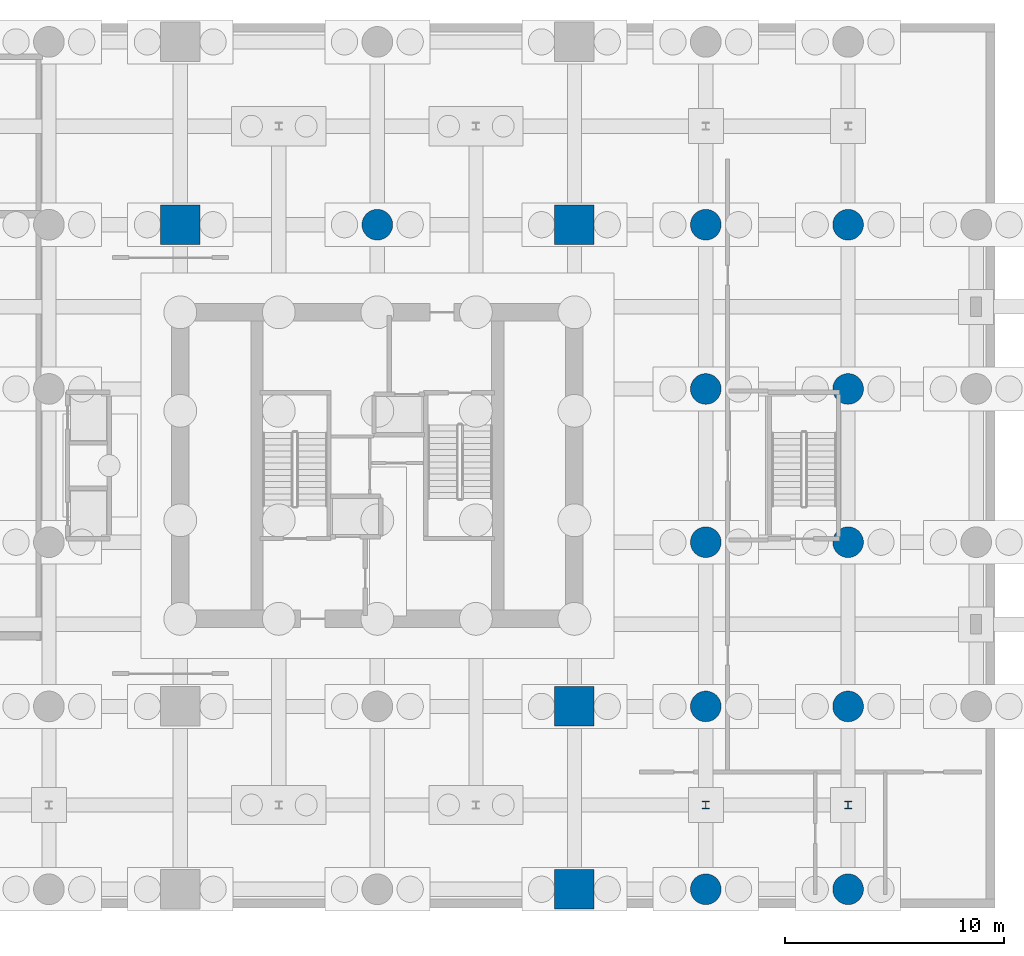
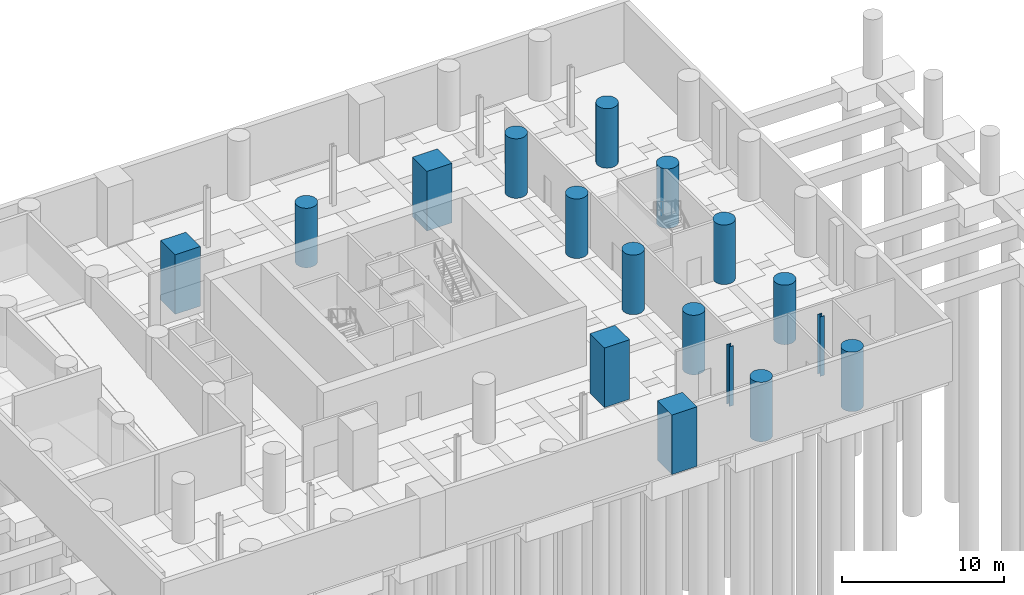
# One storey, part 6 of 12: 17 columns.
"""IFC4 building model written with IfcOpenShell, lengths in metres."""

from ifc_helpers import new_model, si_unit, direction, frame, origin, origin_2d, place, context, subcontext, project, spatial, rectangle, circle, i_section, extrude, material, material_profile, profile_set, type_object, element, save


model = new_model("IFC4")

# Units and contexts
model_context = context("Model", 3, precision=1e-05, world=origin(), true_north=direction((0.0, 1.0)))
body_context = subcontext(model_context, "Body", "Model", "MODEL_VIEW")
ifc_project = project(units=[si_unit("LENGTHUNIT", "METRE"), si_unit("AREAUNIT", "SQUARE_METRE"), si_unit("VOLUMEUNIT", "CUBIC_METRE"), si_unit("PLANEANGLEUNIT", "RADIAN"), si_unit("MASSUNIT", "GRAM", prefix="KILO")], contexts=[model_context])

# Site, building, storey
site_placement = place(None, origin())
site = spatial("IfcSite", under=ifc_project, at=site_placement, CompositionType="ELEMENT")
building_placement = place(site_placement, origin())
building = spatial("IfcBuilding", under=site, at=building_placement, Name="Veldorim Arch Residences", CompositionType="ELEMENT")
storey_placement = place(building_placement, frame((0.0, 0.0, -9.0)))
storey = spatial("IfcBuildingStorey", under=building, at=storey_placement, Name="B2", CompositionType="ELEMENT", Elevation=-9.0)

# Columns
ifc_material_1 = material(Name="Concrete C60/75", Category="concrete")
ifc_material_profile_1 = material_profile(ifc_material_1, circle(Radius=0.699951171875, at=origin_2d()), Name="RC_CIRC_1400")
ifc_profile_set_1 = profile_set([ifc_material_profile_1], Name="Concrete C60/75")
column_type_1 = type_object("IfcColumnType", Name="Structural Column RC_CIRC_1400", PredefinedType="COLUMN", material=ifc_profile_set_1)
for number, where, z_axis, x_axis, name in (
    (1, (47.0, 4.64990234375, 0.0), (0.0, 0.0, 1.0), (1.0, 0.0, 0.0), "B2 podium column (47.00, 4.65)"),
    (2, (47.0, 13.0, 0.0), (0.0, 0.0, 1.0), (1.0, 0.0, 0.0), "B2 podium column (47.00, 13.00)"),
    (3, (47.0, 20.5, 0.0), (0.0, 0.0, 1.0), (1.0, 0.0, 0.0), "B2 podium column (47.00, 20.50)"),
    (4, (47.0, 27.5, 0.0), (0.0, 0.0, 1.0), (1.0, 0.0, 0.0), "B2 podium column (47.00, 27.50)"),
    (5, (47.0, 35.0, 0.0), (0.0, 0.0, 1.0), (1.0, 0.0, 0.0), "B2 podium column (47.00, 35.00)"),
    (6, (53.5, 4.64990234375, 0.0), (0.0, 0.0, 1.0), (1.0, 0.0, 0.0), "B2 podium column (53.50, 4.65)"),
    (7, (53.5, 13.0, 0.0), (0.0, 0.0, 1.0), (1.0, 0.0, 0.0), "B2 podium column (53.50, 13.00)"),
    (8, (53.5, 20.5, 0.0), (0.0, 0.0, 1.0), (1.0, 0.0, 0.0), "B2 podium column (53.50, 20.50)"),
    (9, (53.5, 27.5, 0.0), (0.0, 0.0, 1.0), (1.0, 0.0, 0.0), "B2 podium column (53.50, 27.50)"),
    (10, (53.5, 35.0, 0.0), (0.0, 0.0, 1.0), (1.0, 0.0, 0.0), "B2 podium column (53.50, 35.00)"),
    (11, (32.0, 35.0, 0.0), (0.0, 0.0, 1.0), (1.0, 0.0, 0.0), "B2 arch mega-pier (32.00, 35.00)"),
):
    element("IfcColumn", number, at=place(storey_placement, frame(where, z_axis=z_axis, x_axis=x_axis)), inside=storey, type_object=column_type_1, Name=name, PredefinedType="COLUMN", context=body_context, shape_type="SweptSolid", body=[
        extrude(circle(Radius=0.699951171875, at=origin_2d()), origin(), (0.0, 0.0, 1.0), 4.5),
    ])
ifc_material_2 = material(Name="Concrete C60/75", Category="concrete")
ifc_material_profile_2 = material_profile(ifc_material_2, rectangle(XDim=1.800048828125, YDim=1.800048828125, at=origin_2d()), Name="RC_RECT_1800x1800")
ifc_profile_set_2 = profile_set([ifc_material_profile_2], Name="Concrete C60/75")
column_type_2 = type_object("IfcColumnType", Name="Structural Column RC_RECT_1800x1800", PredefinedType="COLUMN", material=ifc_profile_set_2)
for number, where, z_axis, x_axis, name in (
    (12, (23.0, 35.0, 0.0), (0.0, 0.0, 1.0), (1.0, 0.0, 0.0), "B2 arch mega-pier (23.00, 35.00)"),
    (13, (41.0, 4.64990234375, 0.0), (0.0, 0.0, 1.0), (1.0, 0.0, 0.0), "B2 arch mega-pier (41.00, 4.65)"),
    (14, (41.0, 13.0, 0.0), (0.0, 0.0, 1.0), (1.0, 0.0, 0.0), "B2 arch mega-pier (41.00, 13.00)"),
    (15, (41.0, 35.0, 0.0), (0.0, 0.0, 1.0), (1.0, 0.0, 0.0), "B2 arch mega-pier (41.00, 35.00)"),
):
    element("IfcColumn", number, at=place(storey_placement, frame(where, z_axis=z_axis, x_axis=x_axis)), inside=storey, type_object=column_type_2, Name=name, PredefinedType="COLUMN", context=body_context, shape_type="SweptSolid", body=[
        extrude(rectangle(XDim=1.800048828125, YDim=1.800048828125, at=origin_2d()), origin(), (0.0, 0.0, 1.0), 4.5),
    ])
ifc_material_3 = material(Name="Steel S355", Category="steel")
ifc_material_profile_3 = material_profile(ifc_material_3, i_section(OverallWidth=0.314453125, OverallDepth=0.33984375, WebThickness=0.01904296875, FlangeThickness=0.031494140625, at=origin_2d()), Name="UC305x305x198")
ifc_profile_set_3 = profile_set([ifc_material_profile_3], Name="Steel S355")
column_type_3 = type_object("IfcColumnType", Name="Structural Column UC305x305x198", PredefinedType="COLUMN", material=ifc_profile_set_3)
for number, where, z_axis, x_axis, name in (
    (16, (47.0, 8.5, 0.0), (0.0, 0.0, 1.0), (1.0, 0.0, 0.0), "B2 basement secondary column 07"),
    (17, (53.5, 8.5, 0.0), (0.0, 0.0, 1.0), (1.0, 0.0, 0.0), "B2 basement secondary column 08"),
):
    element("IfcColumn", number, at=place(storey_placement, frame(where, z_axis=z_axis, x_axis=x_axis)), inside=storey, type_object=column_type_3, Name=name, PredefinedType="COLUMN", context=body_context, shape_type="SweptSolid", body=[
        extrude(i_section(OverallWidth=0.314453125, OverallDepth=0.33984375, WebThickness=0.01904296875, FlangeThickness=0.031494140625, at=origin_2d()), origin(), (0.0, 0.0, 1.0), 4.5),
    ])

save(model, "model.ifc")
